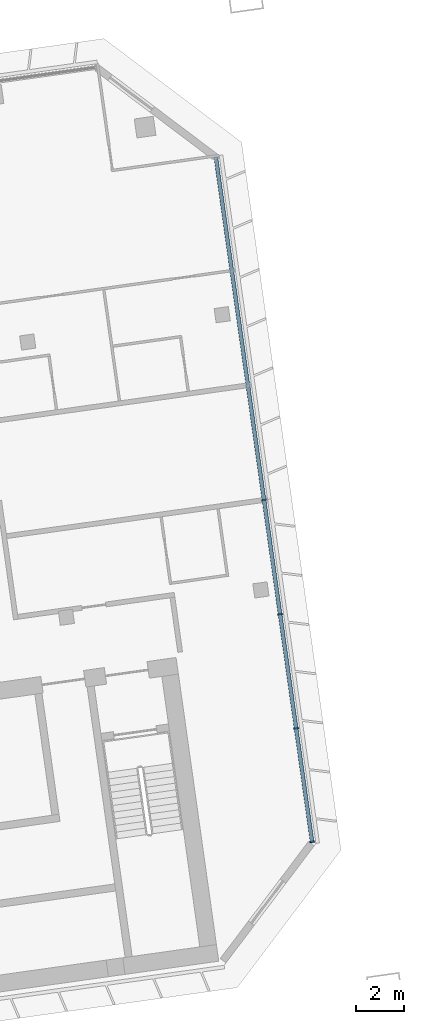
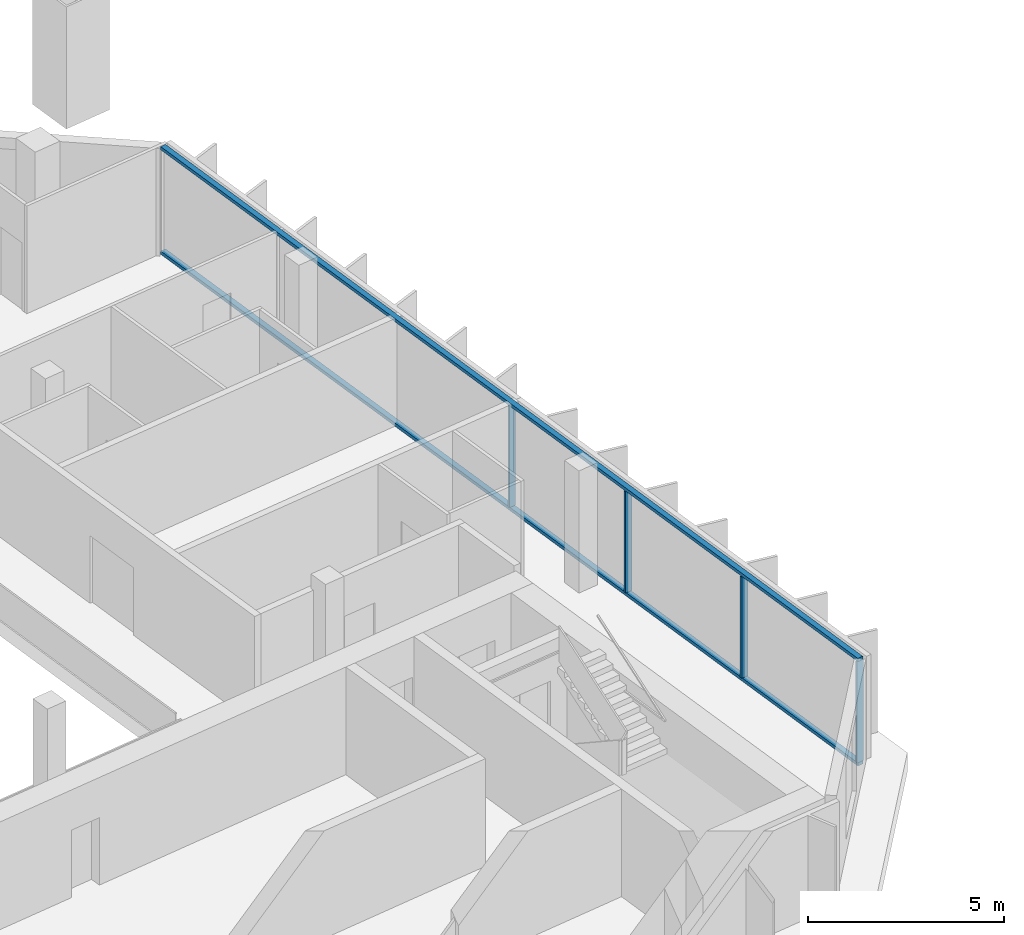
# One storey, part 10 of 26: 6 members, 1 element without a shape of its own.
"""IFC4 building model written with IfcOpenShell, lengths in metres."""

import ifcopenshell
import ifcopenshell.guid

model = None  # the IFC model being written
_history = None  # IfcOwnerHistory: only IFC2X3 demands one
_inside = {}  # id of a spatial element -> (the spatial element, [elements in it])
_under = {}  # id of a project, library or spatial element -> (it, [spatial elements below it])
_declared = {}  # id of a project -> (the project, [libraries it declares])
_typed = {}  # id of a type object -> (the type object, [elements of that type])
_made_of = {}  # id of a material, layer set ... -> (it, [elements and type objects made of it])


def new_model(schema):
    """Start an empty IFC model of exactly this schema.

    Asked for "IFC4X3", IfcOpenShell would pick the latest addendum, in which some entities
    have other attributes; the version numbers below select the first issue.
    IFC2X3 requires an IfcOwnerHistory on every rooted entity: one is made here for all.
    """
    global model, _history
    if schema == "IFC4X3":
        model = ifcopenshell.file(schema_version=(4, 3, 0, 0))
    else:
        model = ifcopenshell.file(schema=schema)
    _inside.clear()
    _under.clear()
    _declared.clear()
    _typed.clear()
    _made_of.clear()
    _history = None
    if model.schema == "IFC2X3":
        org = make("IfcOrganization", Name="unknown")
        user = make(
            "IfcPersonAndOrganization",
            ThePerson=make("IfcPerson", FamilyName="unknown"),
            TheOrganization=org,
        )
        app = make(
            "IfcApplication",
            ApplicationDeveloper=org,
            Version="unknown",
            ApplicationFullName="unknown",
            ApplicationIdentifier="unknown",
        )
        _history = make(
            "IfcOwnerHistory",
            OwningUser=user,
            OwningApplication=app,
            ChangeAction="ADDED",
            CreationDate=0,
        )
    return model


def make(cls, **values):
    """One entity of the class cls with the attributes given. An attribute that is None is left unset."""
    return model.create_entity(
        cls, **{name: value for name, value in values.items() if value is not None}
    )


def rooted(cls, **values):
    """An entity with a GlobalId (a new one), such as an element, a storey or a relation."""
    return make(cls, GlobalId=ifcopenshell.guid.new(), OwnerHistory=_history, **values)


def si_unit(unit_type, name, prefix=None):
    """IfcSIUnit, for example si_unit("LENGTHUNIT", "METRE", prefix="MILLI")."""
    return make("IfcSIUnit", UnitType=unit_type, Prefix=prefix, Name=name)


def assignment(units):
    """IfcUnitAssignment: the units of a project."""
    return None if units is None else make("IfcUnitAssignment", Units=units)


def point(xyz):
    """IfcCartesianPoint."""
    return None if xyz is None else make("IfcCartesianPoint", Coordinates=xyz)


def direction(xyz):
    """IfcDirection."""
    return None if xyz is None else make("IfcDirection", DirectionRatios=xyz)


def frame(location, z_axis=None, x_axis=None):
    """IfcAxis2Placement3D, a coordinate frame: its origin and axes. An axis left out is left unset."""
    return make(
        "IfcAxis2Placement3D",
        Location=point(location),
        Axis=direction(z_axis),
        RefDirection=direction(x_axis),
    )


def frame_2d(location, x_axis=None):
    """IfcAxis2Placement2D, a coordinate frame in the plane: its origin and x axis."""
    return make(
        "IfcAxis2Placement2D", Location=point(location), RefDirection=direction(x_axis)
    )


def origin():
    """The frame at (0, 0, 0) with its axes left unset."""
    return frame((0.0, 0.0, 0.0))


def origin_2d():
    """The frame at (0, 0) in the plane with its x axis left unset."""
    return frame_2d((0.0, 0.0))


def place(relative_to, where):
    """IfcLocalPlacement: puts the frame where relative to a parent placement (None: the world)."""
    return make(
        "IfcLocalPlacement", PlacementRelTo=relative_to, RelativePlacement=where
    )


def context(
    kind, dimensions, precision=None, world=None, true_north=None, identifier=None
):
    """IfcGeometricRepresentationContext, for example the 3D "Model" context."""
    return make(
        "IfcGeometricRepresentationContext",
        ContextIdentifier=identifier,
        ContextType=kind,
        CoordinateSpaceDimension=dimensions,
        Precision=precision,
        WorldCoordinateSystem=world,
        TrueNorth=true_north,
    )


def subcontext(parent, identifier, kind, view, scale=None):
    """IfcGeometricRepresentationSubContext, for example "Body" below "Model"."""
    return make(
        "IfcGeometricRepresentationSubContext",
        ContextIdentifier=identifier,
        ContextType=kind,
        ParentContext=parent,
        TargetScale=scale,
        TargetView=view,
    )


def project(units=None, contexts=None):
    """IfcProject with its units and contexts."""
    return rooted(
        "IfcProject",
        Name="project",
        RepresentationContexts=contexts,
        UnitsInContext=assignment(units),
    )


def spatial(cls, under=None, at=None, **own):
    """A site, building, storey or space (cls), placed at a placement, below another one or the project."""
    s = rooted(cls, ObjectPlacement=at, **own)
    if under is not None:
        _under.setdefault(under.id(), (under, []))[1].append(s)
    return s


def profile(cls, at=None, kind="AREA", **sizes):
    """A parametric profile (cls). Its sizes go by their IFC names, for example OverallWidth=200.0."""
    return make(cls, ProfileType=kind, Position=at, **sizes)


def rectangle(**sizes):
    """IfcRectangleProfileDef."""
    return profile("IfcRectangleProfileDef", **sizes)


def extrude(swept, where, along, depth):
    """IfcExtrudedAreaSolid: the profile swept, set in the frame where, extruded along a direction by depth."""
    return make(
        "IfcExtrudedAreaSolid",
        SweptArea=swept,
        Position=where,
        ExtrudedDirection=direction(along),
        Depth=depth,
    )


def shape(context_of_items, identifier, shape_type, items):
    """IfcShapeRepresentation: the items that make up one representation, for example the "Body"."""
    return make(
        "IfcShapeRepresentation",
        ContextOfItems=context_of_items,
        RepresentationIdentifier=identifier,
        RepresentationType=shape_type,
        Items=items,
    )


def material(Name=None, Category=None):
    """IfcMaterial."""
    return make("IfcMaterial", Name=Name, Category=Category)


def material_profile(
    of_material, cross_section, Name=None, Category=None, Priority=None
):
    """IfcMaterialProfile: a cross section and its material."""
    return make(
        "IfcMaterialProfile",
        Name=Name,
        Material=of_material,
        Profile=cross_section,
        Priority=Priority,
        Category=Category,
    )


def profile_set(profiles, Name=None, composite=None):
    """IfcMaterialProfileSet."""
    return make(
        "IfcMaterialProfileSet",
        Name=Name,
        MaterialProfiles=profiles,
        CompositeProfile=composite,
    )


def made_of(thing, what):
    """Note that an element or type object is made of a material, layer set ...; save() writes the relation."""
    if what is not None:
        _made_of.setdefault(what.id(), (what, []))[1].append(thing)
    return thing


def type_object(cls, material=None, **own):
    """A type object (cls), such as IfcWallType, which elements share."""
    return made_of(rooted(cls, **own), material)


def element(
    cls,
    number,
    at=None,
    inside=None,
    cuts=None,
    type_object=None,
    material=None,
    context=None,
    identifier="Body",
    shape_type=None,
    held_by="IfcProductDefinitionShape",
    body=None,
    shapes=None,
    **own,
):
    """One element of the class cls, such as IfcWall. Its Tag is "e" and its number.

    at: its placement. inside: the storey or other place that contains it. cuts: it is an
    opening in that element (IfcRelVoidsElement). A single representation is given by context,
    identifier, shape_type and body (its items); several are given by shapes. held_by: the class
    of the entity that holds the representations. save() writes the other relations.
    """
    e = rooted(cls, Tag="e%d" % number, ObjectPlacement=at, **own)
    if body is not None:
        shapes = [shape(context, identifier, shape_type, body)]
    if shapes is not None:
        e.Representation = make(held_by, Representations=shapes)
    if inside is not None:
        _inside.setdefault(inside.id(), (inside, []))[1].append(e)
    if cuts is not None:
        rooted(
            "IfcRelVoidsElement", RelatingBuildingElement=cuts, RelatedOpeningElement=e
        )
    if type_object is not None:
        _typed.setdefault(type_object.id(), (type_object, []))[1].append(e)
    return made_of(e, material)


def aggregate(whole, parts):
    """IfcRelAggregates: a whole, such as a stair, and the parts it consists of."""
    return rooted("IfcRelAggregates", RelatingObject=whole, RelatedObjects=parts)


def save(model, path):
    """Write the relations noted so far, then the file.

    IfcRelAggregates (storeys below a building ...), IfcRelContainedInSpatialStructure (elements
    in a storey), IfcRelDefinesByType, IfcRelAssociatesMaterial and IfcRelDeclares: one each for
    every whole, place, type object, material and project.
    """
    for whole, parts in _under.values():
        aggregate(whole, parts)
    for where, things in _inside.values():
        rooted(
            "IfcRelContainedInSpatialStructure",
            RelatedElements=things,
            RelatingStructure=where,
        )
    for kind, things in _typed.values():
        rooted("IfcRelDefinesByType", RelatedObjects=things, RelatingType=kind)
    for what, things in _made_of.values():
        rooted("IfcRelAssociatesMaterial", RelatedObjects=things, RelatingMaterial=what)
    for by, libraries in _declared.values():
        rooted("IfcRelDeclares", RelatingContext=by, RelatedDefinitions=libraries)
    model.write(path)


model = new_model("IFC4")

# Units and contexts
model_context = context("Model", 3, precision=1e-05, world=origin(), true_north=direction((0.0, 1.0)))
body_context = subcontext(model_context, "Body", "Model", "MODEL_VIEW")
ifc_project = project(units=[si_unit("LENGTHUNIT", "METRE"), si_unit("AREAUNIT", "SQUARE_METRE"), si_unit("VOLUMEUNIT", "CUBIC_METRE"), si_unit("PLANEANGLEUNIT", "RADIAN"), si_unit("MASSUNIT", "GRAM", prefix="KILO")], contexts=[model_context])

# Site, building, storey
site_placement = place(None, origin())
site = spatial("IfcSite", under=ifc_project, at=site_placement, CompositionType="ELEMENT")
building_placement = place(site_placement, origin())
building = spatial("IfcBuilding", under=site, at=building_placement, Name="Mirante Cascada Hotel Towers", CompositionType="ELEMENT")
storey_placement = place(building_placement, frame((0.0, 0.0, 161.2)))
storey = spatial("IfcBuildingStorey", under=building, at=storey_placement, Name="L37", CompositionType="ELEMENT", Elevation=161.2)

# Curtain wall, members
ifc_material_1 = material(Name="Aluminium mullion and transom frame with clear laminated glass", Category="aluminium")
curtain_wall_type = type_object("IfcCurtainWallType", Name="End ribbon curtain wall ECW2", PredefinedType="NOTDEFINED", material=ifc_material_1)
curtain_wall_placement = place(storey_placement, origin())
curtain_wall = element("IfcCurtainWall", 1, at=curtain_wall_placement, inside=storey, type_object=curtain_wall_type, Name="Outer end wall T2 L37", PredefinedType="NOTDEFINED")
ifc_material_2 = material(Name="Anodised aluminium extrusion", Category="aluminium")
ifc_material_profile_1 = material_profile(ifc_material_2, rectangle(XDim=0.2, YDim=0.065, at=origin_2d()), Name="ECW2 MULLION 65x200")
ifc_profile_set_1 = profile_set([ifc_material_profile_1], Name="Anodised aluminium extrusion")
member_type_1 = type_object("IfcMemberType", Name="ECW2 mullion 65x200", PredefinedType="MULLION", material=ifc_profile_set_1)
member_1_placement = place(storey_placement, frame((94.2432, -7.5181, 0.1), z_axis=(0.0, 0.0, 1.0), x_axis=(-0.9902681, -0.1391731, 0.0)))
member_1 = element("IfcMember", 2, at=member_1_placement, type_object=member_type_1, Name="ECW2 mullion 1", PredefinedType="MULLION", context=body_context, shape_type="SweptSolid", body=[
    extrude(rectangle(XDim=0.2, YDim=0.065, at=origin_2d()), origin(), (0.0, 0.0, 1.0), 3.15),
])
member_2_placement = place(storey_placement, frame((93.5779, -2.7845, 0.1), z_axis=(0.0, 0.0, 1.0), x_axis=(-0.9902681, -0.1391731, 0.0)))
member_2 = element("IfcMember", 3, at=member_2_placement, type_object=member_type_1, Name="ECW2 mullion 2", PredefinedType="MULLION", context=body_context, shape_type="SweptSolid", body=[
    extrude(rectangle(XDim=0.2, YDim=0.065, at=origin_2d()), origin(), (0.0, 0.0, 1.0), 3.15),
])
member_3_placement = place(storey_placement, frame((92.9081, 1.9812, 0.1), z_axis=(0.0, 0.0, 1.0), x_axis=(-0.9902681, -0.1391731, 0.0)))
member_3 = element("IfcMember", 4, at=member_3_placement, type_object=member_type_1, Name="ECW2 mullion 3", PredefinedType="MULLION", context=body_context, shape_type="SweptSolid", body=[
    extrude(rectangle(XDim=0.2, YDim=0.065, at=origin_2d()), origin(), (0.0, 0.0, 1.0), 3.15),
])
member_4_placement = place(storey_placement, frame((92.2383, 6.747, 0.1), z_axis=(0.0, 0.0, 1.0), x_axis=(-0.9902681, -0.1391731, 0.0)))
member_4 = element("IfcMember", 5, at=member_4_placement, type_object=member_type_1, Name="ECW2 mullion 4", PredefinedType="MULLION", context=body_context, shape_type="SweptSolid", body=[
    extrude(rectangle(XDim=0.2, YDim=0.065, at=origin_2d()), origin(), (0.0, 0.0, 1.0), 3.15),
])
ifc_material_3 = material(Name="Anodised aluminium extrusion", Category="aluminium")
ifc_material_profile_2 = material_profile(ifc_material_3, rectangle(XDim=0.16, YDim=0.1, at=origin_2d()), Name="ECW2 TRANSOM 100x160")
ifc_profile_set_2 = profile_set([ifc_material_profile_2], Name="Anodised aluminium extrusion")
member_type_2 = type_object("IfcMemberType", Name="ECW2 transom 100x160", PredefinedType="USERDEFINED", material=ifc_profile_set_2)
member_5_placement = place(storey_placement, frame((94.2477, -7.5503, 0.05), z_axis=(-0.1391723, 0.9902682, 0.0), x_axis=(-0.9902682, -0.1391723, 0.0)))
member_5 = element("IfcMember", 6, at=member_5_placement, type_object=member_type_2, Name="ECW2 sill transom", ObjectType="TRANSOM", PredefinedType="USERDEFINED", context=body_context, shape_type="SweptSolid", body=[
    extrude(rectangle(XDim=0.16, YDim=0.1, at=origin_2d()), origin(), (0.0, 0.0, 1.0), 28.8757),
])
member_6_placement = place(storey_placement, frame((94.2477, -7.5503, 3.3), z_axis=(-0.1391723, 0.9902682, 0.0), x_axis=(-0.9902682, -0.1391723, 0.0)))
member_6 = element("IfcMember", 7, at=member_6_placement, type_object=member_type_2, Name="ECW2 head transom", ObjectType="TRANSOM", PredefinedType="USERDEFINED", context=body_context, shape_type="SweptSolid", body=[
    extrude(rectangle(XDim=0.16, YDim=0.1, at=origin_2d()), origin(), (0.0, 0.0, 1.0), 28.8757),
])
aggregate(curtain_wall, [member_5, member_6, member_1, member_2, member_3, member_4])

save(model, "model.ifc")
